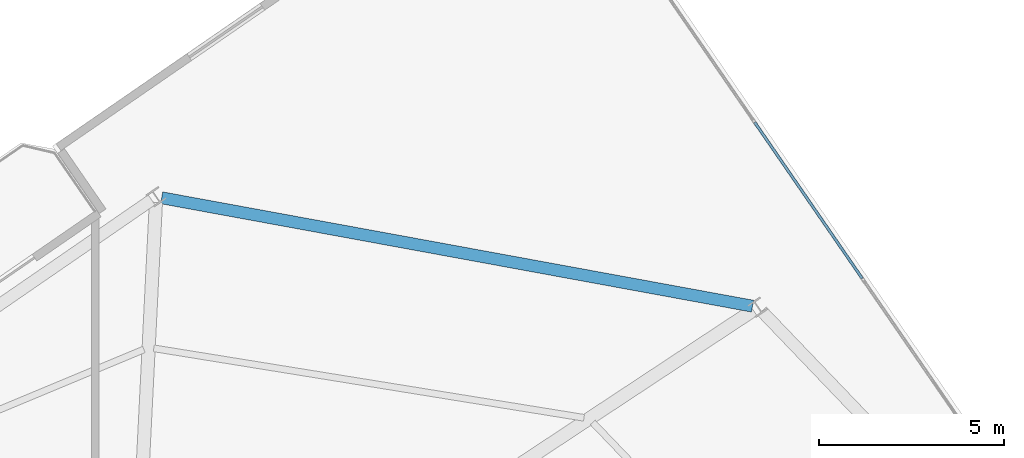
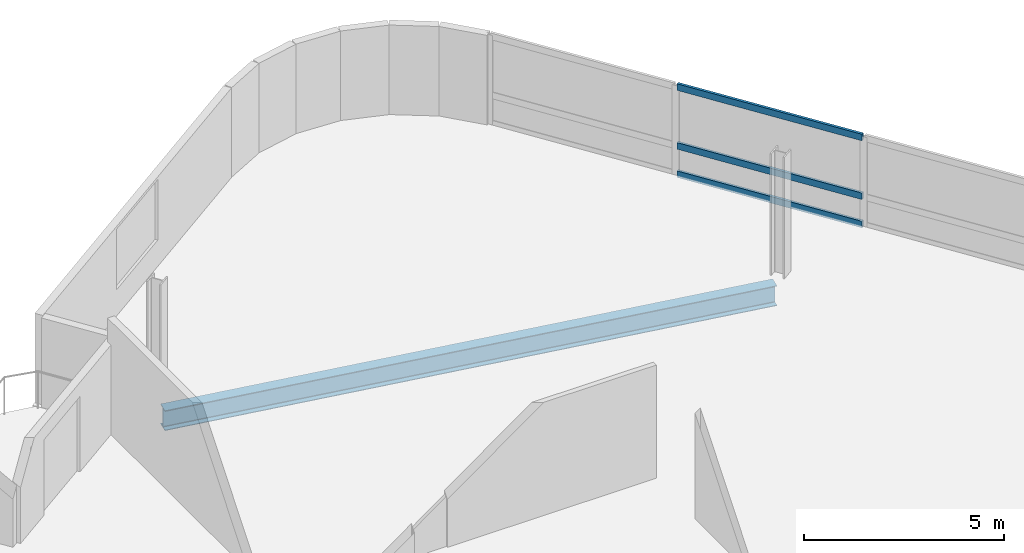
# One storey, part 9 of 22: 3 members, 1 beam, 1 element without a shape of its own.
"""IFC4 building model written with IfcOpenShell, lengths in metres."""

from ifc_helpers import new_model, si_unit, direction, frame, origin, origin_2d, place, context, subcontext, project, spatial, hollow_rectangle, i_section, extrude, material, layer, layer_set, material_profile, profile_set, type_object, element, aggregate, save


model = new_model("IFC4")

# Units and contexts
model_context = context("Model", 3, precision=1e-05, world=origin(), true_north=direction((0.0, 1.0)))
body_context = subcontext(model_context, "Body", "Model", "MODEL_VIEW")
ifc_project = project(units=[si_unit("LENGTHUNIT", "METRE"), si_unit("AREAUNIT", "SQUARE_METRE"), si_unit("VOLUMEUNIT", "CUBIC_METRE"), si_unit("PLANEANGLEUNIT", "RADIAN"), si_unit("MASSUNIT", "GRAM", prefix="KILO")], contexts=[model_context])

# Site, building, storey
site_placement = place(None, origin())
site = spatial("IfcSite", under=ifc_project, at=site_placement, CompositionType="ELEMENT")
building_placement = place(site_placement, origin())
building = spatial("IfcBuilding", under=site, at=building_placement, Name="Varnelok Gate Tower", CompositionType="ELEMENT")
storey_placement = place(building_placement, frame((0.0, 0.0, 284.10009765625)))
storey = spatial("IfcBuildingStorey", under=building, at=storey_placement, Name="L73", CompositionType="ELEMENT", Elevation=284.10009765625)

# Beam
ifc_material_1 = material(Name="Structural Steel ASTM A992 Grade 50", Category="steel")
ifc_material_profile_1 = material_profile(ifc_material_1, i_section(OverallWidth=0.323974609375, OverallDepth=0.611083984375, WebThickness=0.0126953125, FlangeThickness=0.01904296875, FilletRadius=0.01806640625, at=origin_2d()), Name="W24X104")
ifc_profile_set_1 = profile_set([ifc_material_profile_1], Name="Structural Steel ASTM A992 Grade 50")
beam_type = type_object("IfcBeamType", Name="BM-SPN-W24X104", PredefinedType="SPANDREL", material=ifc_profile_set_1)
beam_placement = place(storey_placement, frame((60.406005859375, 47.564453125, -0.5556640625), z_axis=(-0.98359926462, 0.180367642995, 0.0), x_axis=(-0.180367642995, -0.98359926462, 0.0)))
element("IfcBeam", 1, at=beam_placement, inside=storey, type_object=beam_type, Name="L73 Perimeter Spandrel Beam 8", PredefinedType="SPANDREL", context=body_context, shape_type="SweptSolid", body=[
    extrude(i_section(OverallWidth=0.323974609375, OverallDepth=0.611083984375, WebThickness=0.0126953125, FlangeThickness=0.01904296875, FilletRadius=0.01806640625, at=origin_2d()), origin(), (0.0, 0.0, 1.0), 16.23193359375),
])

# Curtain wall, members
ifc_material_2 = material(Name="Anodized Aluminum Alloy 6063-T6", Category="aluminium")
ifc_layer = layer(ifc_material_2, 0.179931640625)
ifc_layer_set = layer_set([ifc_layer], Name="Anodized Aluminum Alloy 6063-T6")
curtain_wall_type = type_object("IfcCurtainWallType", Name="CW6-CROWN-LOOKOUT", PredefinedType="USERDEFINED", material=ifc_layer_set)
curtain_wall_placement = place(storey_placement, origin())
curtain_wall = element("IfcCurtainWall", 2, at=curtain_wall_placement, inside=storey, type_object=curtain_wall_type, Name="L73 East End Vision Curtain Wall", ObjectType="STRUCTURAL GLAZING", PredefinedType="USERDEFINED")
ifc_material_profile_2 = material_profile(ifc_material_2, hollow_rectangle(XDim=0.074951171875, YDim=0.199951171875, WallThickness=0.00390625, at=origin_2d()), Name="ALU200X75X4")
ifc_profile_set_2 = profile_set([ifc_material_profile_2], Name="Anodized Aluminum Alloy 6063-T6")
member_type = type_object("IfcMemberType", Name="CW-TRAN-200", PredefinedType="USERDEFINED", material=ifc_profile_set_2)
member_1_placement = place(storey_placement, frame((60.46533203125, 52.531005859375, 0.037353515625), z_axis=(0.567278672654, -0.823525899746, 0.0), x_axis=(0.823525899746, 0.567278672654, 0.0)))
member_1 = element("IfcMember", 3, at=member_1_placement, type_object=member_type, Name="CW6 transom 2.1", ObjectType="TRANSOM", PredefinedType="USERDEFINED", context=body_context, shape_type="SweptSolid", body=[
    extrude(hollow_rectangle(XDim=0.074951171875, YDim=0.199951171875, WallThickness=0.00390625, at=origin_2d()), origin(), (0.0, 0.0, 1.0), 5.124755859375),
])
member_2_placement = place(storey_placement, frame((60.46533203125, 52.531005859375, 0.89990234375), z_axis=(0.567278672654, -0.823525899746, 0.0), x_axis=(0.823525899746, 0.567278672654, 0.0)))
member_2 = element("IfcMember", 4, at=member_2_placement, type_object=member_type, Name="CW6 transom 2.2", ObjectType="TRANSOM", PredefinedType="USERDEFINED", context=body_context, shape_type="SweptSolid", body=[
    extrude(hollow_rectangle(XDim=0.074951171875, YDim=0.199951171875, WallThickness=0.00390625, at=origin_2d()), origin(), (0.0, 0.0, 1.0), 5.124755859375),
])
member_3_placement = place(storey_placement, frame((60.46533203125, 52.531005859375, 2.6923828125), z_axis=(0.567278672654, -0.823525899746, 0.0), x_axis=(0.823525899746, 0.567278672654, 0.0)))
member_3 = element("IfcMember", 5, at=member_3_placement, type_object=member_type, Name="CW6 transom 2.3", ObjectType="TRANSOM", PredefinedType="USERDEFINED", context=body_context, shape_type="SweptSolid", body=[
    extrude(hollow_rectangle(XDim=0.074951171875, YDim=0.199951171875, WallThickness=0.00390625, at=origin_2d()), origin(), (0.0, 0.0, 1.0), 5.124755859375),
])
aggregate(curtain_wall, [member_1, member_2, member_3])

save(model, "model.ifc")
